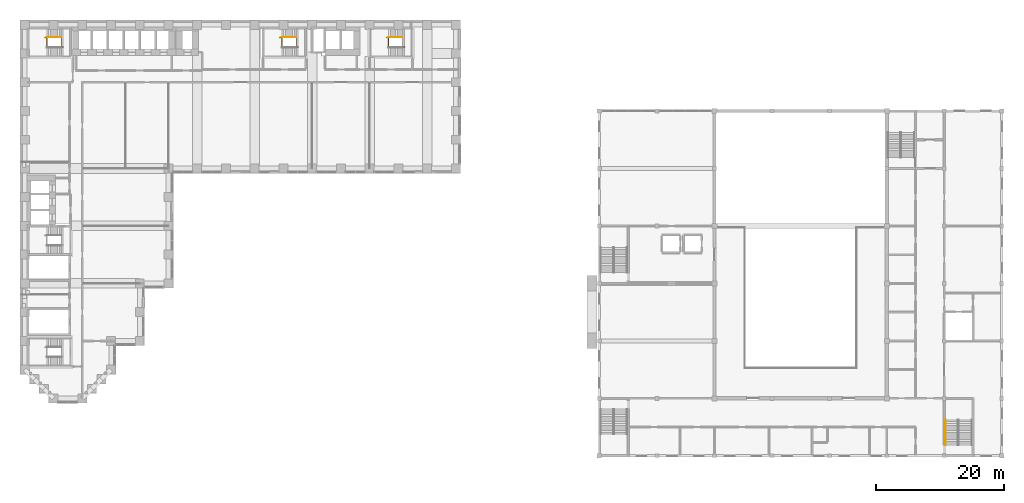
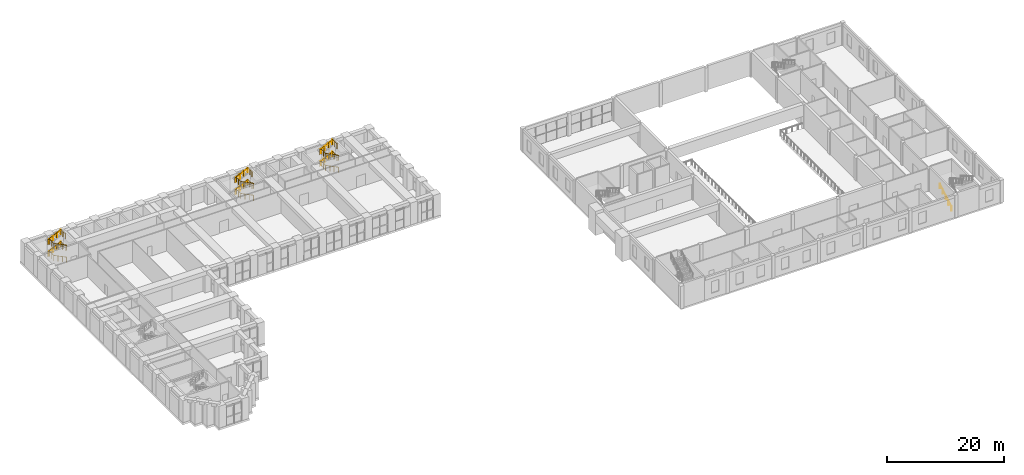
# One storey, part 32 of 34: 10 railings.
"""IFC4 building model written with IfcOpenShell, lengths in metres."""

from ifc_helpers import new_model, si_unit, direction, frame, origin, origin_2d, place, context, subcontext, project, spatial, circle, extrude, material, type_object, element, save


model = new_model("IFC4")

# Units and contexts
model_context = context("Model", 3, precision=1e-05, world=origin(), true_north=direction((0.0, 1.0)))
body_context = subcontext(model_context, "Body", "Model", "MODEL_VIEW")
ifc_project = project(units=[si_unit("LENGTHUNIT", "METRE"), si_unit("AREAUNIT", "SQUARE_METRE"), si_unit("VOLUMEUNIT", "CUBIC_METRE"), si_unit("PLANEANGLEUNIT", "RADIAN"), si_unit("MASSUNIT", "GRAM", prefix="KILO")], contexts=[model_context])

# Site, building, storey
site_placement = place(None, origin())
site = spatial("IfcSite", under=ifc_project, at=site_placement, CompositionType="ELEMENT")
building_placement = place(site_placement, origin())
building = spatial("IfcBuilding", under=site, at=building_placement, Name="Firuza Court", CompositionType="ELEMENT")
storey_placement = place(building_placement, frame((0.0, 0.0, 19.0)))
storey = spatial("IfcBuildingStorey", under=building, at=storey_placement, Name="L03", CompositionType="ELEMENT", Elevation=19.0)

# Railings
ifc_material_1 = material(Name="Steel S355", Category="steel")
railing_type_1 = type_object("IfcRailingType", Name="HALL HANDRAIL 900", PredefinedType="HANDRAIL", material=ifc_material_1)
railing_1_placement = place(storey_placement, frame((144.18994140625, -7.300048828125, 0.166748046875)))
element("IfcRailing", 1, at=railing_1_placement, inside=storey, type_object=railing_type_1, Name="Stair H2 flight 1 handrail L03", PredefinedType="HANDRAIL", context=body_context, shape_type="SweptSolid", body=[
    extrude(circle(Radius=0.02099609375, at=origin_2d()), frame((0.0, 0.0, 0.87890625), z_axis=(0.0, 0.859310244771, 0.511454693235), x_axis=(-1.0, 0.0, 0.0)), (0.0, 0.0, 1.0), 4.56201171875),
    extrude(circle(Radius=0.02001953125, at=origin_2d()), origin(), (0.0, 0.0, 1.0), 0.85791015625),
    extrude(circle(Radius=0.02001953125, at=origin_2d()), frame((0.0, 0.97998046875, 0.583251953125)), (0.0, 0.0, 1.0), 0.85791015625),
    extrude(circle(Radius=0.02001953125, at=origin_2d()), frame((0.0, 1.9599609375, 1.16650390625)), (0.0, 0.0, 1.0), 0.85791015625),
    extrude(circle(Radius=0.02001953125, at=origin_2d()), frame((0.0, 2.940185546875, 1.75)), (0.0, 0.0, 1.0), 0.85791015625),
    extrude(circle(Radius=0.02001953125, at=origin_2d()), frame((0.0, 3.920166015625, 2.333251953125)), (0.0, 0.0, 1.0), 0.85791015625),
])
ifc_material_2 = material(Name="Steel S355", Category="steel")
railing_type_2 = type_object("IfcRailingType", Name="Handrail 900", PredefinedType="HANDRAIL", material=ifc_material_2)
for number, where, name in (
    (2, (40.260009765625, 56.550048828125, 1.388916015625), "Handrail S1 flight 2"),
    (3, (40.260009765625, 56.550048828125, 3.888916015625), "Handrail S1 flight 4"),
    (4, (3.4599609375, 56.550048828125, 1.388916015625), "Handrail S3 flight 2"),
    (5, (3.4599609375, 56.550048828125, 3.888916015625), "Handrail S3 flight 4"),
    (6, (56.9599609375, 56.550048828125, 1.388916015625), "Handrail S4 flight 2"),
    (7, (56.9599609375, 56.550048828125, 3.888916015625), "Handrail S4 flight 4"),
):
    element("IfcRailing", number, at=place(storey_placement, frame(where)), inside=storey, type_object=railing_type_2, Name=name, PredefinedType="HANDRAIL", context=body_context, shape_type="SweptSolid", body=[
        extrude(circle(Radius=0.02490234375, at=origin_2d()), frame((0.0, 0.0, 0.875), z_axis=(0.895848192791, 0.0, 0.444360231651), x_axis=(0.0, 1.0, 0.0)), (0.0, 0.0, 1.0), 2.50048828125),
        extrude(circle(Radius=0.02001953125, at=origin_2d()), origin(), (0.0, 0.0, 1.0), 0.849853515625),
        extrude(circle(Radius=0.02001953125, at=origin_2d()), frame((0.74658203125, 0.0, 0.370361328125)), (0.0, 0.0, 1.0), 0.849853515625),
        extrude(circle(Radius=0.02001953125, at=origin_2d()), frame((1.493408203125, 0.0, 0.74072265625)), (0.0, 0.0, 1.0), 0.849853515625),
        extrude(circle(Radius=0.02001953125, at=origin_2d()), frame((2.239990234375, 0.0, 1.111083984375)), (0.0, 0.0, 1.0), 0.849853515625),
    ])
ifc_material_3 = material(Name="Steel S355", Category="steel")
railing_type_3 = type_object("IfcRailingType", Name="Stair guard 1100", PredefinedType="GUARDRAIL", material=ifc_material_3)
railing_2_placement = place(storey_placement, frame((42.780029296875, 55.010009765625, 0.0)))
element("IfcRailing", 8, at=railing_2_placement, inside=storey, type_object=railing_type_3, Name="Stair well guard S1", PredefinedType="GUARDRAIL", context=body_context, shape_type="SweptSolid", body=[
    extrude(circle(Radius=0.02490234375, at=origin_2d()), frame((0.0, 0.0, 1.0751953125), z_axis=(-0.89584601627, 0.0, 0.44436461958), x_axis=(0.0, -1.0, 0.0)), (0.0, 0.0, 1.0), 2.81298828125),
    extrude(circle(Radius=0.02490234375, at=origin_2d()), frame((-2.52001953125, 0.0, 2.3251953125), z_axis=(0.0, 1.0, 0.0), x_axis=(-1.0, 0.0, 0.0)), (0.0, 0.0, 1.0), 1.47998046875),
    extrude(circle(Radius=0.02490234375, at=origin_2d()), frame((-2.52001953125, 1.47998046875, 2.3251953125), z_axis=(-1.0, 0.0, 0.0), x_axis=(0.0, -1.0, 0.0)), (0.0, 0.0, 1.0), 0.280029296875),
    extrude(circle(Radius=0.02490234375, at=origin_2d()), frame((-2.800048828125, 1.47998046875, 2.3251953125), z_axis=(0.89584601627, 0.0, 0.44436461958), x_axis=(0.0, 1.0, 0.0)), (0.0, 0.0, 1.0), 2.81298828125),
    extrude(circle(Radius=0.02490234375, at=origin_2d()), frame((-0.280029296875, 1.47998046875, 3.5751953125), z_axis=(0.0, -1.0, 0.0), x_axis=(1.0, 0.0, 0.0)), (0.0, 0.0, 1.0), 1.47998046875),
    extrude(circle(Radius=0.02490234375, at=origin_2d()), frame((-0.280029296875, 0.0, 3.5751953125), z_axis=(1.0, 0.0, 0.0), x_axis=(0.0, 1.0, 0.0)), (0.0, 0.0, 1.0), 0.280029296875),
    extrude(circle(Radius=0.02490234375, at=origin_2d()), frame((0.0, 0.0, 3.5751953125), z_axis=(-0.89584601627, 0.0, 0.44436461958), x_axis=(0.0, -1.0, 0.0)), (0.0, 0.0, 1.0), 2.81298828125),
    extrude(circle(Radius=0.02490234375, at=origin_2d()), frame((-2.52001953125, 0.0, 4.8251953125), z_axis=(0.0, 1.0, 0.0), x_axis=(-1.0, 0.0, 0.0)), (0.0, 0.0, 1.0), 1.47998046875),
    extrude(circle(Radius=0.02490234375, at=origin_2d()), frame((-2.52001953125, 1.47998046875, 4.8251953125), z_axis=(-1.0, 0.0, 0.0), x_axis=(0.0, -1.0, 0.0)), (0.0, 0.0, 1.0), 0.280029296875),
    extrude(circle(Radius=0.02490234375, at=origin_2d()), frame((-2.800048828125, 1.47998046875, 4.8251953125), z_axis=(0.89584601627, 0.0, 0.44436461958), x_axis=(0.0, 1.0, 0.0)), (0.0, 0.0, 1.0), 2.81298828125),
    extrude(circle(Radius=0.02490234375, at=origin_2d()), frame((-0.280029296875, 1.47998046875, 6.0751953125), z_axis=(0.0, -1.0, 0.0), x_axis=(1.0, 0.0, 0.0)), (0.0, 0.0, 1.0), 1.47998046875),
    extrude(circle(Radius=0.02490234375, at=origin_2d()), origin(), (0.0, 0.0, 1.0), 1.050048828125),
    extrude(circle(Radius=0.02490234375, at=origin_2d()), frame((-0.840087890625, 0.0, 0.416748046875)), (0.0, 0.0, 1.0), 1.050048828125),
    extrude(circle(Radius=0.02490234375, at=origin_2d()), frame((-1.679931640625, 0.0, 0.833251953125)), (0.0, 0.0, 1.0), 1.050048828125),
    extrude(circle(Radius=0.02490234375, at=origin_2d()), frame((-2.52001953125, 0.0, 1.25)), (0.0, 0.0, 1.0), 1.050048828125),
    extrude(circle(Radius=0.02490234375, at=origin_2d()), frame((-2.52001953125, 0.739990234375, 1.25)), (0.0, 0.0, 1.0), 1.050048828125),
    extrude(circle(Radius=0.02490234375, at=origin_2d()), frame((-2.52001953125, 1.47998046875, 1.25)), (0.0, 0.0, 1.0), 1.050048828125),
    extrude(circle(Radius=0.02490234375, at=origin_2d()), frame((-2.800048828125, 1.47998046875, 1.25)), (0.0, 0.0, 1.0), 1.050048828125),
    extrude(circle(Radius=0.02490234375, at=origin_2d()), frame((-1.9599609375, 1.47998046875, 1.666748046875)), (0.0, 0.0, 1.0), 1.050048828125),
    extrude(circle(Radius=0.02490234375, at=origin_2d()), frame((-1.1201171875, 1.47998046875, 2.083251953125)), (0.0, 0.0, 1.0), 1.050048828125),
    extrude(circle(Radius=0.02490234375, at=origin_2d()), frame((-0.280029296875, 1.47998046875, 2.5)), (0.0, 0.0, 1.0), 1.050048828125),
    extrude(circle(Radius=0.02490234375, at=origin_2d()), frame((-0.280029296875, 0.739990234375, 2.5)), (0.0, 0.0, 1.0), 1.050048828125),
    extrude(circle(Radius=0.02490234375, at=origin_2d()), frame((-0.280029296875, 0.0, 2.5)), (0.0, 0.0, 1.0), 1.050048828125),
    extrude(circle(Radius=0.02490234375, at=origin_2d()), frame((0.0, 0.0, 2.5)), (0.0, 0.0, 1.0), 1.050048828125),
    extrude(circle(Radius=0.02490234375, at=origin_2d()), frame((-0.840087890625, 0.0, 2.916748046875)), (0.0, 0.0, 1.0), 1.050048828125),
    extrude(circle(Radius=0.02490234375, at=origin_2d()), frame((-1.679931640625, 0.0, 3.333251953125)), (0.0, 0.0, 1.0), 1.050048828125),
    extrude(circle(Radius=0.02490234375, at=origin_2d()), frame((-2.52001953125, 0.0, 3.75)), (0.0, 0.0, 1.0), 1.050048828125),
    extrude(circle(Radius=0.02490234375, at=origin_2d()), frame((-2.52001953125, 0.739990234375, 3.75)), (0.0, 0.0, 1.0), 1.050048828125),
    extrude(circle(Radius=0.02490234375, at=origin_2d()), frame((-2.52001953125, 1.47998046875, 3.75)), (0.0, 0.0, 1.0), 1.050048828125),
    extrude(circle(Radius=0.02490234375, at=origin_2d()), frame((-2.800048828125, 1.47998046875, 3.75)), (0.0, 0.0, 1.0), 1.050048828125),
    extrude(circle(Radius=0.02490234375, at=origin_2d()), frame((-1.9599609375, 1.47998046875, 4.166748046875)), (0.0, 0.0, 1.0), 1.050048828125),
    extrude(circle(Radius=0.02490234375, at=origin_2d()), frame((-1.1201171875, 1.47998046875, 4.583251953125)), (0.0, 0.0, 1.0), 1.050048828125),
    extrude(circle(Radius=0.02490234375, at=origin_2d()), frame((-0.280029296875, 1.47998046875, 5.0)), (0.0, 0.0, 1.0), 1.050048828125),
    extrude(circle(Radius=0.02490234375, at=origin_2d()), frame((-0.280029296875, 0.739990234375, 5.0)), (0.0, 0.0, 1.0), 1.050048828125),
    extrude(circle(Radius=0.02490234375, at=origin_2d()), frame((-0.280029296875, 0.0, 5.0)), (0.0, 0.0, 1.0), 1.050048828125),
])
railing_3_placement = place(storey_placement, frame((5.97998046875, 55.010009765625, 0.0)))
element("IfcRailing", 9, at=railing_3_placement, inside=storey, type_object=railing_type_3, Name="Stair well guard S3", PredefinedType="GUARDRAIL", context=body_context, shape_type="SweptSolid", body=[
    extrude(circle(Radius=0.02490234375, at=origin_2d()), frame((0.0, 0.0, 1.0751953125), z_axis=(-0.89584601627, 0.0, 0.44436461958), x_axis=(0.0, -1.0, 0.0)), (0.0, 0.0, 1.0), 2.81298828125),
    extrude(circle(Radius=0.02490234375, at=origin_2d()), frame((-2.52001953125, 0.0, 2.3251953125), z_axis=(0.0, 1.0, 0.0), x_axis=(-1.0, 0.0, 0.0)), (0.0, 0.0, 1.0), 1.47998046875),
    extrude(circle(Radius=0.02490234375, at=origin_2d()), frame((-2.52001953125, 1.47998046875, 2.3251953125), z_axis=(-1.0, 0.0, 0.0), x_axis=(0.0, -1.0, 0.0)), (0.0, 0.0, 1.0), 0.280029296875),
    extrude(circle(Radius=0.02490234375, at=origin_2d()), frame((-2.800048828125, 1.47998046875, 2.3251953125), z_axis=(0.89584601627, 0.0, 0.44436461958), x_axis=(0.0, 1.0, 0.0)), (0.0, 0.0, 1.0), 2.81298828125),
    extrude(circle(Radius=0.02490234375, at=origin_2d()), frame((-0.280029296875, 1.47998046875, 3.5751953125), z_axis=(0.0, -1.0, 0.0), x_axis=(1.0, 0.0, 0.0)), (0.0, 0.0, 1.0), 1.47998046875),
    extrude(circle(Radius=0.02490234375, at=origin_2d()), frame((-0.280029296875, 0.0, 3.5751953125), z_axis=(1.0, 0.0, 0.0), x_axis=(0.0, 1.0, 0.0)), (0.0, 0.0, 1.0), 0.280029296875),
    extrude(circle(Radius=0.02490234375, at=origin_2d()), frame((0.0, 0.0, 3.5751953125), z_axis=(-0.89584601627, 0.0, 0.44436461958), x_axis=(0.0, -1.0, 0.0)), (0.0, 0.0, 1.0), 2.81298828125),
    extrude(circle(Radius=0.02490234375, at=origin_2d()), frame((-2.52001953125, 0.0, 4.8251953125), z_axis=(0.0, 1.0, 0.0), x_axis=(-1.0, 0.0, 0.0)), (0.0, 0.0, 1.0), 1.47998046875),
    extrude(circle(Radius=0.02490234375, at=origin_2d()), frame((-2.52001953125, 1.47998046875, 4.8251953125), z_axis=(-1.0, 0.0, 0.0), x_axis=(0.0, -1.0, 0.0)), (0.0, 0.0, 1.0), 0.280029296875),
    extrude(circle(Radius=0.02490234375, at=origin_2d()), frame((-2.800048828125, 1.47998046875, 4.8251953125), z_axis=(0.89584601627, 0.0, 0.44436461958), x_axis=(0.0, 1.0, 0.0)), (0.0, 0.0, 1.0), 2.81298828125),
    extrude(circle(Radius=0.02490234375, at=origin_2d()), frame((-0.280029296875, 1.47998046875, 6.0751953125), z_axis=(0.0, -1.0, 0.0), x_axis=(1.0, 0.0, 0.0)), (0.0, 0.0, 1.0), 1.47998046875),
    extrude(circle(Radius=0.02490234375, at=origin_2d()), origin(), (0.0, 0.0, 1.0), 1.050048828125),
    extrude(circle(Radius=0.02490234375, at=origin_2d()), frame((-0.840087890625, 0.0, 0.416748046875)), (0.0, 0.0, 1.0), 1.050048828125),
    extrude(circle(Radius=0.02490234375, at=origin_2d()), frame((-1.679931640625, 0.0, 0.833251953125)), (0.0, 0.0, 1.0), 1.050048828125),
    extrude(circle(Radius=0.02490234375, at=origin_2d()), frame((-2.52001953125, 0.0, 1.25)), (0.0, 0.0, 1.0), 1.050048828125),
    extrude(circle(Radius=0.02490234375, at=origin_2d()), frame((-2.52001953125, 0.739990234375, 1.25)), (0.0, 0.0, 1.0), 1.050048828125),
    extrude(circle(Radius=0.02490234375, at=origin_2d()), frame((-2.52001953125, 1.47998046875, 1.25)), (0.0, 0.0, 1.0), 1.050048828125),
    extrude(circle(Radius=0.02490234375, at=origin_2d()), frame((-2.800048828125, 1.47998046875, 1.25)), (0.0, 0.0, 1.0), 1.050048828125),
    extrude(circle(Radius=0.02490234375, at=origin_2d()), frame((-1.9599609375, 1.47998046875, 1.666748046875)), (0.0, 0.0, 1.0), 1.050048828125),
    extrude(circle(Radius=0.02490234375, at=origin_2d()), frame((-1.1201171875, 1.47998046875, 2.083251953125)), (0.0, 0.0, 1.0), 1.050048828125),
    extrude(circle(Radius=0.02490234375, at=origin_2d()), frame((-0.280029296875, 1.47998046875, 2.5)), (0.0, 0.0, 1.0), 1.050048828125),
    extrude(circle(Radius=0.02490234375, at=origin_2d()), frame((-0.280029296875, 0.739990234375, 2.5)), (0.0, 0.0, 1.0), 1.050048828125),
    extrude(circle(Radius=0.02490234375, at=origin_2d()), frame((-0.280029296875, 0.0, 2.5)), (0.0, 0.0, 1.0), 1.050048828125),
    extrude(circle(Radius=0.02490234375, at=origin_2d()), frame((0.0, 0.0, 2.5)), (0.0, 0.0, 1.0), 1.050048828125),
    extrude(circle(Radius=0.02490234375, at=origin_2d()), frame((-0.840087890625, 0.0, 2.916748046875)), (0.0, 0.0, 1.0), 1.050048828125),
    extrude(circle(Radius=0.02490234375, at=origin_2d()), frame((-1.679931640625, 0.0, 3.333251953125)), (0.0, 0.0, 1.0), 1.050048828125),
    extrude(circle(Radius=0.02490234375, at=origin_2d()), frame((-2.52001953125, 0.0, 3.75)), (0.0, 0.0, 1.0), 1.050048828125),
    extrude(circle(Radius=0.02490234375, at=origin_2d()), frame((-2.52001953125, 0.739990234375, 3.75)), (0.0, 0.0, 1.0), 1.050048828125),
    extrude(circle(Radius=0.02490234375, at=origin_2d()), frame((-2.52001953125, 1.47998046875, 3.75)), (0.0, 0.0, 1.0), 1.050048828125),
    extrude(circle(Radius=0.02490234375, at=origin_2d()), frame((-2.800048828125, 1.47998046875, 3.75)), (0.0, 0.0, 1.0), 1.050048828125),
    extrude(circle(Radius=0.02490234375, at=origin_2d()), frame((-1.9599609375, 1.47998046875, 4.166748046875)), (0.0, 0.0, 1.0), 1.050048828125),
    extrude(circle(Radius=0.02490234375, at=origin_2d()), frame((-1.1201171875, 1.47998046875, 4.583251953125)), (0.0, 0.0, 1.0), 1.050048828125),
    extrude(circle(Radius=0.02490234375, at=origin_2d()), frame((-0.280029296875, 1.47998046875, 5.0)), (0.0, 0.0, 1.0), 1.050048828125),
    extrude(circle(Radius=0.02490234375, at=origin_2d()), frame((-0.280029296875, 0.739990234375, 5.0)), (0.0, 0.0, 1.0), 1.050048828125),
    extrude(circle(Radius=0.02490234375, at=origin_2d()), frame((-0.280029296875, 0.0, 5.0)), (0.0, 0.0, 1.0), 1.050048828125),
])
railing_4_placement = place(storey_placement, frame((59.47998046875, 55.010009765625, 0.0)))
element("IfcRailing", 10, at=railing_4_placement, inside=storey, type_object=railing_type_3, Name="Stair well guard S4", PredefinedType="GUARDRAIL", context=body_context, shape_type="SweptSolid", body=[
    extrude(circle(Radius=0.02490234375, at=origin_2d()), frame((0.0, 0.0, 1.0751953125), z_axis=(-0.89584601627, 0.0, 0.44436461958), x_axis=(0.0, -1.0, 0.0)), (0.0, 0.0, 1.0), 2.81298828125),
    extrude(circle(Radius=0.02490234375, at=origin_2d()), frame((-2.52001953125, 0.0, 2.3251953125), z_axis=(0.0, 1.0, 0.0), x_axis=(-1.0, 0.0, 0.0)), (0.0, 0.0, 1.0), 1.47998046875),
    extrude(circle(Radius=0.02490234375, at=origin_2d()), frame((-2.52001953125, 1.47998046875, 2.3251953125), z_axis=(-1.0, 0.0, 0.0), x_axis=(0.0, -1.0, 0.0)), (0.0, 0.0, 1.0), 0.280029296875),
    extrude(circle(Radius=0.02490234375, at=origin_2d()), frame((-2.800048828125, 1.47998046875, 2.3251953125), z_axis=(0.89584601627, 0.0, 0.44436461958), x_axis=(0.0, 1.0, 0.0)), (0.0, 0.0, 1.0), 2.81298828125),
    extrude(circle(Radius=0.02490234375, at=origin_2d()), frame((-0.280029296875, 1.47998046875, 3.5751953125), z_axis=(0.0, -1.0, 0.0), x_axis=(1.0, 0.0, 0.0)), (0.0, 0.0, 1.0), 1.47998046875),
    extrude(circle(Radius=0.02490234375, at=origin_2d()), frame((-0.280029296875, 0.0, 3.5751953125), z_axis=(1.0, 0.0, 0.0), x_axis=(0.0, 1.0, 0.0)), (0.0, 0.0, 1.0), 0.280029296875),
    extrude(circle(Radius=0.02490234375, at=origin_2d()), frame((0.0, 0.0, 3.5751953125), z_axis=(-0.89584601627, 0.0, 0.44436461958), x_axis=(0.0, -1.0, 0.0)), (0.0, 0.0, 1.0), 2.81298828125),
    extrude(circle(Radius=0.02490234375, at=origin_2d()), frame((-2.52001953125, 0.0, 4.8251953125), z_axis=(0.0, 1.0, 0.0), x_axis=(-1.0, 0.0, 0.0)), (0.0, 0.0, 1.0), 1.47998046875),
    extrude(circle(Radius=0.02490234375, at=origin_2d()), frame((-2.52001953125, 1.47998046875, 4.8251953125), z_axis=(-1.0, 0.0, 0.0), x_axis=(0.0, -1.0, 0.0)), (0.0, 0.0, 1.0), 0.280029296875),
    extrude(circle(Radius=0.02490234375, at=origin_2d()), frame((-2.800048828125, 1.47998046875, 4.8251953125), z_axis=(0.89584601627, 0.0, 0.44436461958), x_axis=(0.0, 1.0, 0.0)), (0.0, 0.0, 1.0), 2.81298828125),
    extrude(circle(Radius=0.02490234375, at=origin_2d()), frame((-0.280029296875, 1.47998046875, 6.0751953125), z_axis=(0.0, -1.0, 0.0), x_axis=(1.0, 0.0, 0.0)), (0.0, 0.0, 1.0), 1.47998046875),
    extrude(circle(Radius=0.02490234375, at=origin_2d()), origin(), (0.0, 0.0, 1.0), 1.050048828125),
    extrude(circle(Radius=0.02490234375, at=origin_2d()), frame((-0.840087890625, 0.0, 0.416748046875)), (0.0, 0.0, 1.0), 1.050048828125),
    extrude(circle(Radius=0.02490234375, at=origin_2d()), frame((-1.679931640625, 0.0, 0.833251953125)), (0.0, 0.0, 1.0), 1.050048828125),
    extrude(circle(Radius=0.02490234375, at=origin_2d()), frame((-2.52001953125, 0.0, 1.25)), (0.0, 0.0, 1.0), 1.050048828125),
    extrude(circle(Radius=0.02490234375, at=origin_2d()), frame((-2.52001953125, 0.739990234375, 1.25)), (0.0, 0.0, 1.0), 1.050048828125),
    extrude(circle(Radius=0.02490234375, at=origin_2d()), frame((-2.52001953125, 1.47998046875, 1.25)), (0.0, 0.0, 1.0), 1.050048828125),
    extrude(circle(Radius=0.02490234375, at=origin_2d()), frame((-2.800048828125, 1.47998046875, 1.25)), (0.0, 0.0, 1.0), 1.050048828125),
    extrude(circle(Radius=0.02490234375, at=origin_2d()), frame((-1.9599609375, 1.47998046875, 1.666748046875)), (0.0, 0.0, 1.0), 1.050048828125),
    extrude(circle(Radius=0.02490234375, at=origin_2d()), frame((-1.1201171875, 1.47998046875, 2.083251953125)), (0.0, 0.0, 1.0), 1.050048828125),
    extrude(circle(Radius=0.02490234375, at=origin_2d()), frame((-0.280029296875, 1.47998046875, 2.5)), (0.0, 0.0, 1.0), 1.050048828125),
    extrude(circle(Radius=0.02490234375, at=origin_2d()), frame((-0.280029296875, 0.739990234375, 2.5)), (0.0, 0.0, 1.0), 1.050048828125),
    extrude(circle(Radius=0.02490234375, at=origin_2d()), frame((-0.280029296875, 0.0, 2.5)), (0.0, 0.0, 1.0), 1.050048828125),
    extrude(circle(Radius=0.02490234375, at=origin_2d()), frame((0.0, 0.0, 2.5)), (0.0, 0.0, 1.0), 1.050048828125),
    extrude(circle(Radius=0.02490234375, at=origin_2d()), frame((-0.840087890625, 0.0, 2.916748046875)), (0.0, 0.0, 1.0), 1.050048828125),
    extrude(circle(Radius=0.02490234375, at=origin_2d()), frame((-1.679931640625, 0.0, 3.333251953125)), (0.0, 0.0, 1.0), 1.050048828125),
    extrude(circle(Radius=0.02490234375, at=origin_2d()), frame((-2.52001953125, 0.0, 3.75)), (0.0, 0.0, 1.0), 1.050048828125),
    extrude(circle(Radius=0.02490234375, at=origin_2d()), frame((-2.52001953125, 0.739990234375, 3.75)), (0.0, 0.0, 1.0), 1.050048828125),
    extrude(circle(Radius=0.02490234375, at=origin_2d()), frame((-2.52001953125, 1.47998046875, 3.75)), (0.0, 0.0, 1.0), 1.050048828125),
    extrude(circle(Radius=0.02490234375, at=origin_2d()), frame((-2.800048828125, 1.47998046875, 3.75)), (0.0, 0.0, 1.0), 1.050048828125),
    extrude(circle(Radius=0.02490234375, at=origin_2d()), frame((-1.9599609375, 1.47998046875, 4.166748046875)), (0.0, 0.0, 1.0), 1.050048828125),
    extrude(circle(Radius=0.02490234375, at=origin_2d()), frame((-1.1201171875, 1.47998046875, 4.583251953125)), (0.0, 0.0, 1.0), 1.050048828125),
    extrude(circle(Radius=0.02490234375, at=origin_2d()), frame((-0.280029296875, 1.47998046875, 5.0)), (0.0, 0.0, 1.0), 1.050048828125),
    extrude(circle(Radius=0.02490234375, at=origin_2d()), frame((-0.280029296875, 0.739990234375, 5.0)), (0.0, 0.0, 1.0), 1.050048828125),
    extrude(circle(Radius=0.02490234375, at=origin_2d()), frame((-0.280029296875, 0.0, 5.0)), (0.0, 0.0, 1.0), 1.050048828125),
])

save(model, "model.ifc")
